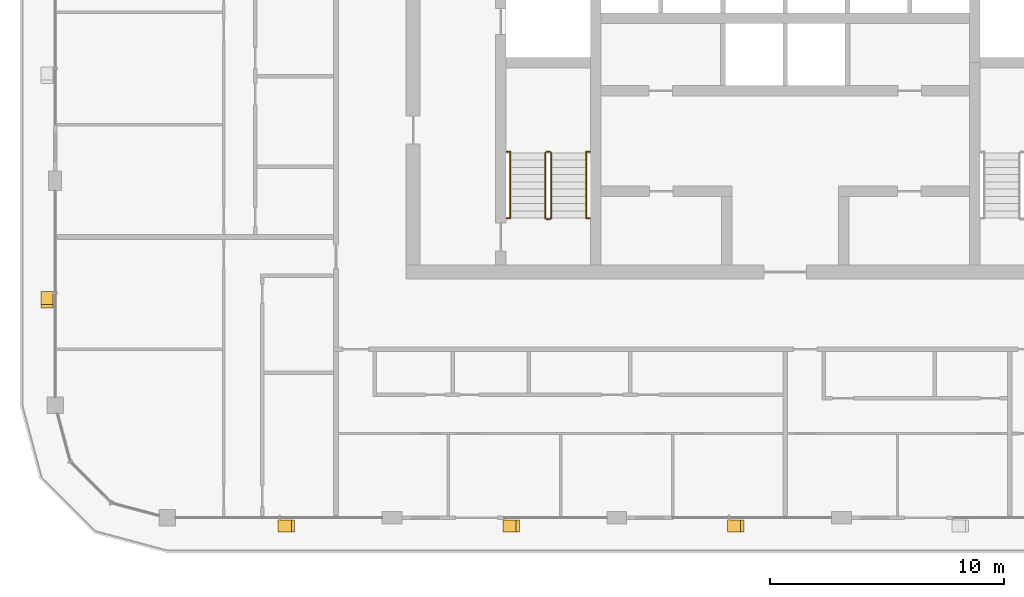
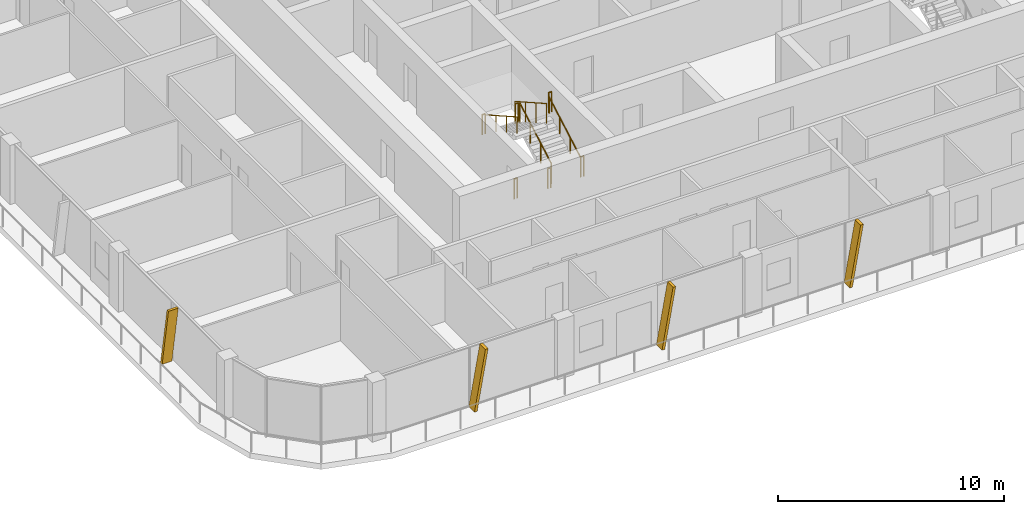
# One storey, part 16 of 21: 10 railings, 4 shading devices.
"""IFC4 building model written with IfcOpenShell, lengths in metres."""

from ifc_helpers import new_model, si_unit, direction, frame, origin, origin_2d, place, context, subcontext, project, spatial, polyline, circle, outline, extrude, material, type_object, element, save


model = new_model("IFC4")

# Units and contexts
model_context = context("Model", 3, precision=1e-05, world=origin(), true_north=direction((0.0, 1.0)))
body_context = subcontext(model_context, "Body", "Model", "MODEL_VIEW")
ifc_project = project(units=[si_unit("LENGTHUNIT", "METRE"), si_unit("AREAUNIT", "SQUARE_METRE"), si_unit("VOLUMEUNIT", "CUBIC_METRE"), si_unit("PLANEANGLEUNIT", "RADIAN"), si_unit("MASSUNIT", "GRAM", prefix="KILO")], contexts=[model_context])

# Site, building, storey
site_placement = place(None, origin())
site = spatial("IfcSite", under=ifc_project, at=site_placement, CompositionType="ELEMENT")
building_placement = place(site_placement, origin())
building = spatial("IfcBuilding", under=site, at=building_placement, Name="Madar Terraces", CompositionType="ELEMENT")
storey_placement = place(building_placement, frame((0.0, 0.0, 242.199951171875)))
storey = spatial("IfcBuildingStorey", under=building, at=storey_placement, Name="L63", CompositionType="ELEMENT", Elevation=242.199951171875)

# Shading devices
ifc_material_1 = material(Name="Aluminium, black anodised", Category="aluminium")
shading_device_type = type_object("IfcShadingDeviceType", Name="Facade fin blade 140 x 500", PredefinedType="USERDEFINED", material=ifc_material_1)
shading_device_1_placement = place(storey_placement, frame((9.530029296875, 4.449951171875, 0.0), z_axis=(0.0, 0.0, 1.0), x_axis=(1.0, 0.0, 0.0)))
element("IfcShadingDevice", 1, at=shading_device_1_placement, inside=storey, type_object=shading_device_type, Name="FIN L63 S1", ObjectType="FIN", PredefinedType="USERDEFINED", context=body_context, shape_type="SweptSolid", body=[
    extrude(outline(polyline([(0.0, 0.0), (0.139892578125, 0.0), (0.704345703125, 3.199951171875), (0.564208984375, 3.199951171875), (0.0, 0.0)])), frame((0.0, 0.25, 0.0), z_axis=(0.0, -1.0, 0.0), x_axis=(1.0, 0.0, 0.0)), (0.0, 0.0, 1.0), 0.5),
])
for number, where, z_axis, x_axis, name in (
    (2, (19.1298828125, 4.449951171875, 0.0), (0.0, 0.0, 1.0), (1.0, 0.0, 0.0), "FIN L63 S2"),
    (3, (28.72998046875, 4.449951171875, 0.0), (0.0, 0.0, 1.0), (1.0, 0.0, 0.0), "FIN L63 S3"),
):
    element("IfcShadingDevice", number, at=place(storey_placement, frame(where, z_axis=z_axis, x_axis=x_axis)), inside=storey, type_object=shading_device_type, Name=name, ObjectType="FIN", PredefinedType="USERDEFINED", context=body_context, shape_type="SweptSolid", body=[
        extrude(outline(polyline([(0.0, 0.0), (0.14013671875, 0.0), (0.704345703125, 3.199951171875), (0.564208984375, 3.199951171875), (0.0, 0.0)])), frame((0.0, 0.25, 0.0), z_axis=(0.0, -1.0, 0.0), x_axis=(1.0, 0.0, 0.0)), (0.0, 0.0, 1.0), 0.5),
    ])
shading_device_2_placement = place(storey_placement, frame((-0.35009765625, 14.469970703125, 0.0), z_axis=(0.0, 0.0, 1.0), x_axis=(0.0, -1.0, 0.0)))
element("IfcShadingDevice", 4, at=shading_device_2_placement, inside=storey, type_object=shading_device_type, Name="FIN L63 W4", ObjectType="FIN", PredefinedType="USERDEFINED", context=body_context, shape_type="SweptSolid", body=[
    extrude(outline(polyline([(0.0, 0.0), (0.139892578125, 0.0), (0.704345703125, 3.199951171875), (0.564208984375, 3.199951171875), (0.0, 0.0)])), frame((0.0, 0.25, 0.0), z_axis=(0.0, -1.0, 0.0), x_axis=(1.0, 0.0, 0.0)), (0.0, 0.0, 1.0), 0.5),
])

# Railings
ifc_material_2 = material(Name="Stainless steel railing", Category="steel")
railing_type_1 = type_object("IfcRailingType", Name="Stair guard 1100", PredefinedType="GUARDRAIL", material=ifc_material_2)
railing_1_placement = place(storey_placement, frame((21.199951171875, 17.60009765625, 0.175048828125)))
element("IfcRailing", 5, at=railing_1_placement, inside=storey, type_object=railing_type_1, Name="L63 ST1 stair guard 1", PredefinedType="GUARDRAIL", context=body_context, shape_type="SweptSolid", body=[
    extrude(circle(Radius=0.02392578125, at=origin_2d()), frame((0.0, 0.0, 1.076171875), z_axis=(0.0, 0.870815363784, 0.491610213684), x_axis=(-1.0, 0.0, 0.0)), (0.0, 0.0, 1.0), 3.20361328125),
    extrude(circle(Radius=0.02099609375, at=origin_2d()), origin(), (0.0, 0.0, 1.0), 1.052001953125),
    extrude(circle(Radius=0.02099609375, at=origin_2d()), frame((0.0, 0.929931640625, 0.52490234375)), (0.0, 0.0, 1.0), 1.052001953125),
    extrude(circle(Radius=0.02099609375, at=origin_2d()), frame((0.0, 1.85986328125, 1.050048828125)), (0.0, 0.0, 1.0), 1.052001953125),
    extrude(circle(Radius=0.02099609375, at=origin_2d()), frame((0.0, 2.789794921875, 1.574951171875)), (0.0, 0.0, 1.0), 1.052001953125),
])
railing_2_placement = place(storey_placement, frame((21.14990234375, 20.43994140625, 1.75)))
element("IfcRailing", 6, at=railing_2_placement, inside=storey, type_object=railing_type_1, Name="L63 ST1 stair guard 2", PredefinedType="GUARDRAIL", context=body_context, shape_type="SweptSolid", body=[
    extrude(circle(Radius=0.02392578125, at=origin_2d()), frame((0.0, 0.0, 1.076171875), z_axis=(-1.0, 0.0, 0.0), x_axis=(0.0, -1.0, 0.0)), (0.0, 0.0, 1.0), 0.14990234375),
    extrude(circle(Radius=0.02099609375, at=origin_2d()), origin(), (0.0, 0.0, 1.0), 1.052001953125),
    extrude(circle(Radius=0.02099609375, at=origin_2d()), frame((-0.14990234375, 0.0, 0.0)), (0.0, 0.0, 1.0), 1.052001953125),
])
railing_3_placement = place(storey_placement, frame((20.949951171875, 20.389892578125, 1.925048828125)))
element("IfcRailing", 7, at=railing_3_placement, inside=storey, type_object=railing_type_1, Name="L63 ST1 stair guard 3", PredefinedType="GUARDRAIL", context=body_context, shape_type="SweptSolid", body=[
    extrude(circle(Radius=0.02392578125, at=origin_2d()), frame((0.0, 0.0, 1.076171875), z_axis=(0.0, -0.870815363784, 0.491610213684), x_axis=(1.0, 0.0, 0.0)), (0.0, 0.0, 1.0), 3.20361328125),
    extrude(circle(Radius=0.02099609375, at=origin_2d()), origin(), (0.0, 0.0, 1.0), 1.052001953125),
    extrude(circle(Radius=0.02099609375, at=origin_2d()), frame((0.0, -0.929931640625, 0.52490234375)), (0.0, 0.0, 1.0), 1.052001953125),
    extrude(circle(Radius=0.02099609375, at=origin_2d()), frame((0.0, -1.85986328125, 1.050048828125)), (0.0, 0.0, 1.0), 1.052001953125),
    extrude(circle(Radius=0.02099609375, at=origin_2d()), frame((0.0, -2.789794921875, 1.574951171875)), (0.0, 0.0, 1.0), 1.052001953125),
])
railing_4_placement = place(storey_placement, frame((21.14990234375, 17.550048828125, 0.0)))
element("IfcRailing", 8, at=railing_4_placement, inside=storey, type_object=railing_type_1, Name="L63 ST1 stair guard 4", PredefinedType="GUARDRAIL", context=body_context, shape_type="SweptSolid", body=[
    extrude(circle(Radius=0.02392578125, at=origin_2d()), frame((0.0, 0.0, 1.076171875), z_axis=(-1.0, 0.0, 0.0), x_axis=(0.0, -1.0, 0.0)), (0.0, 0.0, 1.0), 0.14990234375),
    extrude(circle(Radius=0.02099609375, at=origin_2d()), origin(), (0.0, 0.0, 1.0), 1.052001953125),
    extrude(circle(Radius=0.02099609375, at=origin_2d()), frame((-0.14990234375, 0.0, 0.0)), (0.0, 0.0, 1.0), 1.052001953125),
])
for number, where, name in (
    (9, (19.294921875, 20.43994140625, 1.75), "L63 stair guard seat 1"),
    (10, (22.699951171875, 20.43994140625, 1.75), "L63 stair guard seat 2"),
    (11, (19.294921875, 17.60009765625, 0.0), "L63 stair guard floor 1"),
    (12, (22.699951171875, 17.60009765625, 0.0), "L63 stair guard floor 2"),
):
    element("IfcRailing", number, at=place(storey_placement, frame(where)), inside=storey, type_object=railing_type_1, Name=name, PredefinedType="GUARDRAIL", context=body_context, shape_type="SweptSolid", body=[
        extrude(circle(Radius=0.02392578125, at=origin_2d()), frame((0.0, 0.0, 1.076171875), z_axis=(1.0, 0.0, 0.0), x_axis=(0.0, 1.0, 0.0)), (0.0, 0.0, 1.0), 0.155029296875),
        extrude(circle(Radius=0.02099609375, at=origin_2d()), origin(), (0.0, 0.0, 1.0), 1.052001953125),
        extrude(circle(Radius=0.02099609375, at=origin_2d()), frame((0.155029296875, 0.0, 0.0)), (0.0, 0.0, 1.0), 1.052001953125),
    ])
ifc_material_3 = material(Name="Stainless steel railing", Category="steel")
railing_type_2 = type_object("IfcRailingType", Name="Stair handrail 900", PredefinedType="HANDRAIL", material=ifc_material_3)
railing_5_placement = place(storey_placement, frame((22.699951171875, 17.60009765625, 0.175048828125)))
element("IfcRailing", 13, at=railing_5_placement, inside=storey, type_object=railing_type_2, Name="L63 ST1 stair handrail 1", PredefinedType="HANDRAIL", context=body_context, shape_type="SweptSolid", body=[
    extrude(circle(Radius=0.02392578125, at=origin_2d()), frame((0.0, 0.0, 0.8759765625), z_axis=(0.0, 0.870815363784, 0.491610213684), x_axis=(-1.0, 0.0, 0.0)), (0.0, 0.0, 1.0), 3.20361328125),
    extrude(circle(Radius=0.02099609375, at=origin_2d()), origin(), (0.0, 0.0, 1.0), 0.851806640625),
    extrude(circle(Radius=0.02099609375, at=origin_2d()), frame((0.0, 0.929931640625, 0.52490234375)), (0.0, 0.0, 1.0), 0.851806640625),
    extrude(circle(Radius=0.02099609375, at=origin_2d()), frame((0.0, 1.85986328125, 1.050048828125)), (0.0, 0.0, 1.0), 0.851806640625),
    extrude(circle(Radius=0.02099609375, at=origin_2d()), frame((0.0, 2.789794921875, 1.574951171875)), (0.0, 0.0, 1.0), 0.851806640625),
])
railing_6_placement = place(storey_placement, frame((19.449951171875, 20.389892578125, 1.925048828125)))
element("IfcRailing", 14, at=railing_6_placement, inside=storey, type_object=railing_type_2, Name="L63 ST1 stair handrail 2", PredefinedType="HANDRAIL", context=body_context, shape_type="SweptSolid", body=[
    extrude(circle(Radius=0.02392578125, at=origin_2d()), frame((0.0, 0.0, 0.8759765625), z_axis=(0.0, -0.870815363784, 0.491610213684), x_axis=(1.0, 0.0, 0.0)), (0.0, 0.0, 1.0), 3.20361328125),
    extrude(circle(Radius=0.02099609375, at=origin_2d()), origin(), (0.0, 0.0, 1.0), 0.851806640625),
    extrude(circle(Radius=0.02099609375, at=origin_2d()), frame((0.0, -0.929931640625, 0.52490234375)), (0.0, 0.0, 1.0), 0.851806640625),
    extrude(circle(Radius=0.02099609375, at=origin_2d()), frame((0.0, -1.85986328125, 1.050048828125)), (0.0, 0.0, 1.0), 0.851806640625),
    extrude(circle(Radius=0.02099609375, at=origin_2d()), frame((0.0, -2.789794921875, 1.574951171875)), (0.0, 0.0, 1.0), 0.851806640625),
])

save(model, "model.ifc")
